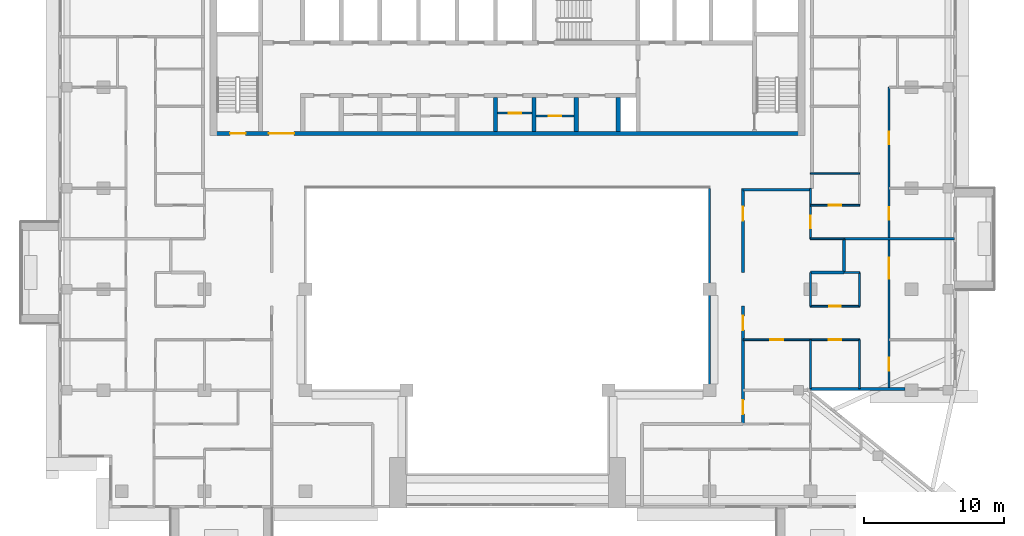
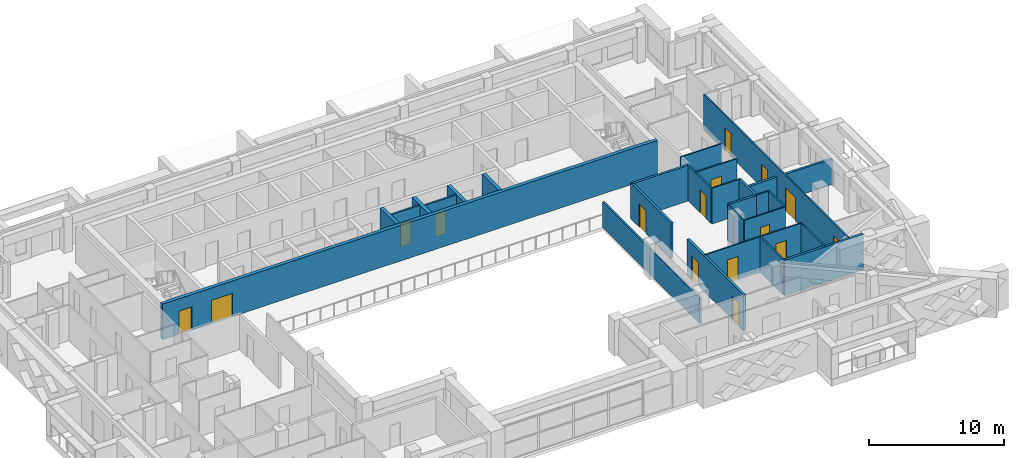
# One storey, part 9 of 19: 27 walls, 16 doors, 16 openings.
"""IFC4 building model written with IfcOpenShell, lengths in metres."""

from ifc_helpers import new_model, si_unit, direction, frame, frame_2d, origin, place, context, subcontext, project, spatial, rectangle, extrude, material, layer, layer_set, type_object, element, fill, save


model = new_model("IFC4")

# Units and contexts
model_context = context("Model", 3, precision=1e-05, world=origin(), true_north=direction((0.0, 1.0)))
body_context = subcontext(model_context, "Body", "Model", "MODEL_VIEW")
ifc_project = project(units=[si_unit("LENGTHUNIT", "METRE"), si_unit("AREAUNIT", "SQUARE_METRE"), si_unit("VOLUMEUNIT", "CUBIC_METRE"), si_unit("PLANEANGLEUNIT", "RADIAN"), si_unit("MASSUNIT", "GRAM", prefix="KILO")], contexts=[model_context])

# Site, building, storey
site_placement = place(None, origin())
site = spatial("IfcSite", under=ifc_project, at=site_placement, CompositionType="ELEMENT")
building_placement = place(site_placement, origin())
building = spatial("IfcBuilding", under=site, at=building_placement, Name="Saffron Iwan Residences", CompositionType="ELEMENT")
storey_placement = place(building_placement, frame((0.0, 0.0, 218.5)))
storey = spatial("IfcBuildingStorey", under=building, at=storey_placement, Name="L58", CompositionType="ELEMENT", Elevation=218.5)

# Wall
ifc_material_1 = material(Name="Fire-rated glazing", Category="glass")
ifc_layer_1 = layer(ifc_material_1, 0.14990234375)
ifc_layer_set_1 = layer_set([ifc_layer_1], Name="Fire-rated glazing")
wall_type_1 = type_object("IfcWallType", Name="Atrium glazed screen 150", PredefinedType="SOLIDWALL", material=ifc_layer_set_1)
wall_1_placement = place(storey_placement, frame((64.800048828125, 48.0, 0.0), z_axis=(0.0, 0.0, 1.0), x_axis=(0.0, 1.0, 0.0)))
element("IfcWall", 1, at=wall_1_placement, inside=storey, type_object=wall_type_1, Name="W-L58-SCREEN-v64.8-48", PredefinedType="SOLIDWALL", context=body_context, shape_type="SweptSolid", body=[
    extrude(rectangle(XDim=14.39990234375, YDim=0.14990234375, at=frame_2d((7.199951171875, 0.0))), origin(), (0.0, 0.0, 1.0), 2.320068359375),
])

# Wall, opening, door
ifc_material_2 = material(Name="Fire-rated plasterboard partition")
ifc_layer_2 = layer(ifc_material_2, 0.14990234375)
ifc_layer_set_2 = layer_set([ifc_layer_2], Name="Fire-rated plasterboard partition")
wall_type_2 = type_object("IfcWallType", Name="Core partition 150", PredefinedType="PARTITIONING", material=ifc_layer_set_2)
wall_2_placement = place(storey_placement, frame((49.699951171875, 67.759521484375, 0.0), z_axis=(0.0, 0.0, 1.0), x_axis=(1.0, 0.0, 0.0)))
wall_2 = element("IfcWall", 2, at=wall_2_placement, inside=storey, type_object=wall_type_2, Name="Core partition P04", PredefinedType="PARTITIONING", context=body_context, shape_type="SweptSolid", body=[
    extrude(rectangle(XDim=2.449951171875, YDim=0.14990234375, at=frame_2d((1.22509765625, 0.0))), origin(), (0.0, 0.0, 1.0), 3.219970703125),
])
opening_1_placement = place(wall_2_placement, frame((0.77490234375, 0.0, 0.0)))
opening_1 = element("IfcOpeningElement", 3, at=opening_1_placement, cuts=wall_2, Name="Opening SB", PredefinedType="OPENING", context=body_context, shape_type="SweptSolid", body=[
    extrude(rectangle(XDim=0.89990234375, YDim=2.10009765625, at=frame_2d((0.449951171875, 1.050048828125))), frame((0.0, 0.0849609375, 0.0), z_axis=(0.0, -1.0, 0.0), x_axis=(1.0, 0.0, 0.0)), (0.0, 0.0, 1.0), 0.169921875),
])
ifc_material_3 = material(Name="Steel fire door", Category="steel")
door_type_1 = type_object("IfcDoorType", Name="Store door 900", OperationType="NOTDEFINED", PredefinedType="DOOR", material=ifc_material_3)
door_1_placement = place(opening_1_placement, origin())
door_1 = element("IfcDoor", 4, at=door_1_placement, inside=storey, type_object=door_type_1, Name="Door Equipment store", OperationType="SINGLE_SWING_RIGHT", OverallHeight=2.10009765625, OverallWidth=0.89990234375, PredefinedType="DOOR", context=body_context, shape_type="SweptSolid", body=[
    extrude(rectangle(XDim=0.89990234375, YDim=2.10009765625, at=frame_2d((0.449951171875, 1.050048828125))), frame((0.0, 0.02490234375, 0.0), z_axis=(0.0, -1.0, 0.0), x_axis=(1.0, 0.0, 0.0)), (0.0, 0.0, 1.0), 0.050048828125),
])
fill(opening_1, door_1)

wall_3_placement = place(storey_placement, frame((52.449951171875, 67.5654296875, 0.0), z_axis=(0.0, 0.0, 1.0), x_axis=(1.0, 0.0, 0.0)))
wall_3 = element("IfcWall", 5, at=wall_3_placement, inside=storey, type_object=wall_type_2, Name="Core partition P05", PredefinedType="PARTITIONING", context=body_context, shape_type="SweptSolid", body=[
    extrude(rectangle(XDim=2.699951171875, YDim=0.14990234375, at=frame_2d((1.35009765625, 0.0))), origin(), (0.0, 0.0, 1.0), 3.219970703125),
])
opening_2_placement = place(wall_3_placement, frame((0.89990234375, 0.0, 0.0)))
opening_2 = element("IfcOpeningElement", 6, at=opening_2_placement, cuts=wall_3, Name="Opening SB", PredefinedType="OPENING", context=body_context, shape_type="SweptSolid", body=[
    extrude(rectangle(XDim=0.89990234375, YDim=2.10009765625, at=frame_2d((0.449951171875, 1.050048828125))), frame((0.0, 0.0849609375, 0.0), z_axis=(0.0, -1.0, 0.0), x_axis=(1.0, 0.0, 0.0)), (0.0, 0.0, 1.0), 0.169921875),
])
door_2_placement = place(opening_2_placement, origin())
door_2 = element("IfcDoor", 7, at=door_2_placement, inside=storey, type_object=door_type_1, Name="Door Records store", OperationType="SINGLE_SWING_RIGHT", OverallHeight=2.10009765625, OverallWidth=0.89990234375, PredefinedType="DOOR", context=body_context, shape_type="SweptSolid", body=[
    extrude(rectangle(XDim=0.89990234375, YDim=2.10009765625, at=frame_2d((0.449951171875, 1.050048828125))), frame((0.0, 0.02490234375, 0.0), z_axis=(0.0, -1.0, 0.0), x_axis=(1.0, 0.0, 0.0)), (0.0, 0.0, 1.0), 0.050048828125),
])
fill(opening_2, door_2)

# Walls
ifc_material_4 = material(Name="Concrete C40/50", Category="concrete")
ifc_layer_3 = layer(ifc_material_4, 0.199951171875)
ifc_layer_set_3 = layer_set([ifc_layer_3], Name="Concrete C40/50")
wall_type_3 = type_object("IfcWallType", Name="EXTERNAL WALL 200", PredefinedType="SOLIDWALL", material=ifc_layer_set_3)
wall_4_placement = place(storey_placement, frame((71.987060546875, 48.10009765625, 0.0), z_axis=(0.0, 0.0, 1.0), x_axis=(1.0, 0.0, 0.0)))
element("IfcWall", 8, at=wall_4_placement, inside=storey, type_object=wall_type_3, Name="External wall L58 F1.0", PredefinedType="SOLIDWALL", context=body_context, shape_type="SweptSolid", body=[
    extrude(rectangle(XDim=6.762939453125, YDim=0.199951171875, at=frame_2d((3.38134765625, 0.0))), origin(), (0.0, 0.0, 1.0), 3.219970703125),
])
ifc_material_5 = material(Name="Fire-rated gypsum board wall")
ifc_layer_4 = layer(ifc_material_5, 0.199951171875)
ifc_layer_set_4 = layer_set([ifc_layer_4], Name="Fire-rated gypsum board wall")
wall_type_4 = type_object("IfcWallType", Name="Flat demising wall 200", PredefinedType="SOLIDWALL", material=ifc_layer_set_4)
wall_5_placement = place(storey_placement, frame((72.0, 56.39990234375, 0.0), z_axis=(0.0, 0.0, 1.0), x_axis=(1.0, 0.0, 0.0)))
element("IfcWall", 9, at=wall_5_placement, inside=storey, type_object=wall_type_4, Name="W-L58-DEMISE-h56.4-72", PredefinedType="SOLIDWALL", context=body_context, shape_type="SweptSolid", body=[
    extrude(rectangle(XDim=2.39990234375, YDim=0.199951171875, at=frame_2d((1.199951171875, 0.0))), origin(), (0.0, 0.0, 1.0), 3.219970703125),
])
wall_6_placement = place(storey_placement, frame((74.39990234375, 58.800048828125, 0.0), z_axis=(0.0, 0.0, 1.0), x_axis=(1.0, 0.0, 0.0)))
element("IfcWall", 10, at=wall_6_placement, inside=storey, type_object=wall_type_4, Name="W-L58-DEMISE-h58.8-74.4", PredefinedType="SOLIDWALL", context=body_context, shape_type="SweptSolid", body=[
    extrude(rectangle(XDim=7.875, YDim=0.199951171875, at=frame_2d((3.9375, 0.0))), origin(), (0.0, 0.0, 1.0), 2.320068359375),
])
wall_7_placement = place(storey_placement, frame((74.39990234375, 56.39990234375, 0.0), z_axis=(0.0, 0.0, 1.0), x_axis=(0.0, 1.0, 0.0)))
element("IfcWall", 11, at=wall_7_placement, inside=storey, type_object=wall_type_4, Name="W-L58-DEMISE-v74.4-56.4", PredefinedType="SOLIDWALL", context=body_context, shape_type="SweptSolid", body=[
    extrude(rectangle(XDim=2.400146484375, YDim=0.199951171875, at=frame_2d((1.2001953125, 0.0))), origin(), (0.0, 0.0, 1.0), 3.219970703125),
])

# Wall, openings, doors
ifc_material_6 = material(Name="Gypsum board partition")
ifc_layer_5 = layer(ifc_material_6, 0.1201171875)
ifc_layer_set_5 = layer_set([ifc_layer_5], Name="Gypsum board partition")
wall_type_5 = type_object("IfcWallType", Name="Flat partition 120", PredefinedType="PARTITIONING", material=ifc_layer_set_5)
wall_8_placement = place(storey_placement, frame((67.199951171875, 51.60009765625, 0.0), z_axis=(0.0, 0.0, 1.0), x_axis=(1.0, 0.0, 0.0)))
wall_8 = element("IfcWall", 12, at=wall_8_placement, inside=storey, type_object=wall_type_5, Name="W-L58-PART-h51.6-67.2", PredefinedType="PARTITIONING", context=body_context, shape_type="SweptSolid", body=[
    extrude(rectangle(XDim=8.300048828125, YDim=0.1201171875, at=frame_2d((4.14990234375, 0.0))), origin(), (0.0, 0.0, 1.0), 3.219970703125),
])
opening_3_placement = place(wall_8_placement, frame((6.10009765625, 0.0, 0.0)))
opening_3 = element("IfcOpeningElement", 13, at=opening_3_placement, cuts=wall_8, Name="Opening FD2", PredefinedType="OPENING", context=body_context, shape_type="SweptSolid", body=[
    extrude(rectangle(XDim=0.89990234375, YDim=2.10009765625, at=frame_2d((0.449951171875, 1.050048828125))), frame((0.0, 0.070068359375, 0.0), z_axis=(0.0, -1.0, 0.0), x_axis=(1.0, 0.0, 0.0)), (0.0, 0.0, 1.0), 0.14013671875),
])
opening_4_placement = place(wall_8_placement, frame((1.949951171875, 0.0, 0.0)))
opening_4 = element("IfcOpeningElement", 14, at=opening_4_placement, cuts=wall_8, Name="Opening FD2", PredefinedType="OPENING", context=body_context, shape_type="SweptSolid", body=[
    extrude(rectangle(XDim=0.89990234375, YDim=2.10009765625, at=frame_2d((0.449951171875, 1.050048828125))), frame((0.0, 0.070068359375, 0.0), z_axis=(0.0, -1.0, 0.0), x_axis=(1.0, 0.0, 0.0)), (0.0, 0.0, 1.0), 0.14013671875),
])
ifc_material_7 = material(Name="Timber door", Category="wood")
door_type_2 = type_object("IfcDoorType", Name="Flat door 900", OperationType="NOTDEFINED", PredefinedType="DOOR", material=ifc_material_7)
door_3_placement = place(opening_3_placement, origin())
door_3 = element("IfcDoor", 15, at=door_3_placement, inside=storey, type_object=door_type_2, Name="Door L58-017", OperationType="SINGLE_SWING_LEFT", OverallHeight=2.10009765625, OverallWidth=0.89990234375, PredefinedType="DOOR", context=body_context, shape_type="SweptSolid", body=[
    extrude(rectangle(XDim=0.89990234375, YDim=2.10009765625, at=frame_2d((0.449951171875, 1.050048828125))), frame((0.0, 0.02490234375, 0.0), z_axis=(0.0, -1.0, 0.0), x_axis=(1.0, 0.0, 0.0)), (0.0, 0.0, 1.0), 0.050048828125),
])
fill(opening_3, door_3)
door_4_placement = place(opening_4_placement, origin())
door_4 = element("IfcDoor", 16, at=door_4_placement, inside=storey, type_object=door_type_2, Name="Door L58-019", OperationType="SINGLE_SWING_LEFT", OverallHeight=2.10009765625, OverallWidth=0.89990234375, PredefinedType="DOOR", context=body_context, shape_type="SweptSolid", body=[
    extrude(rectangle(XDim=0.89990234375, YDim=2.10009765625, at=frame_2d((0.449951171875, 1.050048828125))), frame((0.0, 0.02490234375, 0.0), z_axis=(0.0, -1.0, 0.0), x_axis=(1.0, 0.0, 0.0)), (0.0, 0.0, 1.0), 0.050048828125),
])
fill(opening_4, door_4)

# Wall, opening, door
wall_9_placement = place(storey_placement, frame((72.0, 54.0, 0.0), z_axis=(0.0, 0.0, 1.0), x_axis=(1.0, 0.0, 0.0)))
wall_9 = element("IfcWall", 17, at=wall_9_placement, inside=storey, type_object=wall_type_5, Name="W-L58-PART-h54-72", PredefinedType="PARTITIONING", context=body_context, shape_type="SweptSolid", body=[
    extrude(rectangle(XDim=3.5, YDim=0.1201171875, at=frame_2d((1.75, 0.0))), origin(), (0.0, 0.0, 1.0), 3.219970703125),
])
opening_5_placement = place(wall_9_placement, frame((1.35009765625, 0.0, 0.0)))
opening_5 = element("IfcOpeningElement", 18, at=opening_5_placement, cuts=wall_9, Name="Opening FD3", PredefinedType="OPENING", context=body_context, shape_type="SweptSolid", body=[
    extrude(rectangle(XDim=0.800048828125, YDim=2.10009765625, at=frame_2d((0.39990234375, 1.050048828125))), frame((0.0, 0.070068359375, 0.0), z_axis=(0.0, -1.0, 0.0), x_axis=(1.0, 0.0, 0.0)), (0.0, 0.0, 1.0), 0.14013671875),
])
door_type_3 = type_object("IfcDoorType", Name="Bathroom door 800", OperationType="NOTDEFINED", PredefinedType="DOOR", material=ifc_material_7)
door_5_placement = place(opening_5_placement, origin())
door_5 = element("IfcDoor", 19, at=door_5_placement, inside=storey, type_object=door_type_3, Name="Door L58-018", OperationType="SINGLE_SWING_RIGHT", OverallHeight=2.10009765625, OverallWidth=0.800048828125, PredefinedType="DOOR", context=body_context, shape_type="SweptSolid", body=[
    extrude(rectangle(XDim=0.800048828125, YDim=2.10009765625, at=frame_2d((0.39990234375, 1.050048828125))), frame((0.0, 0.02490234375, 0.0), z_axis=(0.0, -1.0, 0.0), x_axis=(1.0, 0.0, 0.0)), (0.0, 0.0, 1.0), 0.050048828125),
])
fill(opening_5, door_5)

# Walls
wall_10_placement = place(storey_placement, frame((74.39990234375, 56.39990234375, 0.0), z_axis=(0.0, 0.0, 1.0), x_axis=(1.0, 0.0, 0.0)))
element("IfcWall", 20, at=wall_10_placement, inside=storey, type_object=wall_type_5, Name="W-L58-PART-h56.4-74.4", PredefinedType="PARTITIONING", context=body_context, shape_type="SweptSolid", body=[
    extrude(rectangle(XDim=1.10009765625, YDim=0.1201171875, at=frame_2d((0.550048828125, 0.0))), origin(), (0.0, 0.0, 1.0), 3.219970703125),
])
wall_11_placement = place(storey_placement, frame((72.0, 58.800048828125, 0.0), z_axis=(0.0, 0.0, 1.0), x_axis=(1.0, 0.0, 0.0)))
element("IfcWall", 21, at=wall_11_placement, inside=storey, type_object=wall_type_5, Name="W-L58-PART-h58.8-72", PredefinedType="PARTITIONING", context=body_context, shape_type="SweptSolid", body=[
    extrude(rectangle(XDim=2.39990234375, YDim=0.1201171875, at=frame_2d((1.199951171875, 0.0))), origin(), (0.0, 0.0, 1.0), 3.219970703125),
])

# Wall, opening, door
wall_12_placement = place(storey_placement, frame((72.0, 61.199951171875, 0.0), z_axis=(0.0, 0.0, 1.0), x_axis=(1.0, 0.0, 0.0)))
wall_12 = element("IfcWall", 22, at=wall_12_placement, inside=storey, type_object=wall_type_5, Name="W-L58-PART-h61.2-72", PredefinedType="PARTITIONING", context=body_context, shape_type="SweptSolid", body=[
    extrude(rectangle(XDim=3.5, YDim=0.1201171875, at=frame_2d((1.75, 0.0))), origin(), (0.0, 0.0, 1.0), 3.219970703125),
])
opening_6_placement = place(wall_12_placement, frame((1.300048828125, 0.0, 0.0)))
opening_6 = element("IfcOpeningElement", 23, at=opening_6_placement, cuts=wall_12, Name="Opening FD2", PredefinedType="OPENING", context=body_context, shape_type="SweptSolid", body=[
    extrude(rectangle(XDim=0.89990234375, YDim=2.10009765625, at=frame_2d((0.449951171875, 1.050048828125))), frame((0.0, 0.070068359375, 0.0), z_axis=(0.0, -1.0, 0.0), x_axis=(1.0, 0.0, 0.0)), (0.0, 0.0, 1.0), 0.14013671875),
])
door_6_placement = place(opening_6_placement, origin())
door_6 = element("IfcDoor", 24, at=door_6_placement, inside=storey, type_object=door_type_2, Name="Door L58-036", OperationType="SINGLE_SWING_RIGHT", OverallHeight=2.10009765625, OverallWidth=0.89990234375, PredefinedType="DOOR", context=body_context, shape_type="SweptSolid", body=[
    extrude(rectangle(XDim=0.89990234375, YDim=2.10009765625, at=frame_2d((0.449951171875, 1.050048828125))), frame((0.0, 0.02490234375, 0.0), z_axis=(0.0, -1.0, 0.0), x_axis=(1.0, 0.0, 0.0)), (0.0, 0.0, 1.0), 0.050048828125),
])
fill(opening_6, door_6)

# Walls
wall_13_placement = place(storey_placement, frame((72.0, 63.449951171875, 0.0), z_axis=(0.0, 0.0, 1.0), x_axis=(1.0, 0.0, 0.0)))
element("IfcWall", 25, at=wall_13_placement, inside=storey, type_object=wall_type_5, Name="W-L58-PART-h63.45-72", PredefinedType="PARTITIONING", context=body_context, shape_type="SweptSolid", body=[
    extrude(rectangle(XDim=3.5, YDim=0.1201171875, at=frame_2d((1.75, 0.0))), origin(), (0.0, 0.0, 1.0), 3.219970703125),
])
wall_14_placement = place(storey_placement, frame((72.0, 48.125, 0.0), z_axis=(0.0, 0.0, 1.0), x_axis=(0.0, 1.0, 0.0)))
element("IfcWall", 26, at=wall_14_placement, inside=storey, type_object=wall_type_5, Name="W-L58-PART-v72-48.125", PredefinedType="PARTITIONING", context=body_context, shape_type="SweptSolid", body=[
    extrude(rectangle(XDim=3.47509765625, YDim=0.1201171875, at=frame_2d((1.737548828125, 0.0))), origin(), (0.0, 0.0, 1.0), 3.219970703125),
])
wall_15_placement = place(storey_placement, frame((72.0, 54.0, 0.0), z_axis=(0.0, 0.0, 1.0), x_axis=(0.0, 1.0, 0.0)))
element("IfcWall", 27, at=wall_15_placement, inside=storey, type_object=wall_type_5, Name="W-L58-PART-v72-54", PredefinedType="PARTITIONING", context=body_context, shape_type="SweptSolid", body=[
    extrude(rectangle(XDim=2.39990234375, YDim=0.1201171875, at=frame_2d((1.199951171875, 0.0))), origin(), (0.0, 0.0, 1.0), 3.219970703125),
])

# Wall, opening, door
wall_16_placement = place(storey_placement, frame((72.0, 58.800048828125, 0.0), z_axis=(0.0, 0.0, 1.0), x_axis=(0.0, 1.0, 0.0)))
wall_16 = element("IfcWall", 28, at=wall_16_placement, inside=storey, type_object=wall_type_5, Name="W-L58-PART-v72-58.8", PredefinedType="PARTITIONING", context=body_context, shape_type="SweptSolid", body=[
    extrude(rectangle(XDim=3.599853515625, YDim=0.1201171875, at=frame_2d((1.7998046875, 0.0))), origin(), (0.0, 0.0, 1.0), 3.219970703125),
])
opening_7_placement = place(wall_16_placement, frame((0.75, 0.0, 0.0)))
opening_7 = element("IfcOpeningElement", 29, at=opening_7_placement, cuts=wall_16, Name="Opening FD2", PredefinedType="OPENING", context=body_context, shape_type="SweptSolid", body=[
    extrude(rectangle(XDim=0.89990234375, YDim=2.10009765625, at=frame_2d((0.449951171875, 1.050048828125))), frame((0.0, 0.070068359375, 0.0), z_axis=(0.0, -1.0, 0.0), x_axis=(1.0, 0.0, 0.0)), (0.0, 0.0, 1.0), 0.14013671875),
])
door_7_placement = place(opening_7_placement, origin())
door_7 = element("IfcDoor", 30, at=door_7_placement, inside=storey, type_object=door_type_2, Name="Door L58-030", OperationType="SINGLE_SWING_RIGHT", OverallHeight=2.10009765625, OverallWidth=0.89990234375, PredefinedType="DOOR", context=body_context, shape_type="SweptSolid", body=[
    extrude(rectangle(XDim=0.89990234375, YDim=2.10009765625, at=frame_2d((0.449951171875, 1.050048828125))), frame((0.0, 0.02490234375, 0.0), z_axis=(0.0, -1.0, 0.0), x_axis=(1.0, 0.0, 0.0)), (0.0, 0.0, 1.0), 0.050048828125),
])
fill(opening_7, door_7)

# Walls
wall_17_placement = place(storey_placement, frame((75.5, 48.125, 0.0), z_axis=(0.0, 0.0, 1.0), x_axis=(0.0, 1.0, 0.0)))
element("IfcWall", 31, at=wall_17_placement, inside=storey, type_object=wall_type_5, Name="W-L58-PART-v75.5-48.125", PredefinedType="PARTITIONING", context=body_context, shape_type="SweptSolid", body=[
    extrude(rectangle(XDim=3.47509765625, YDim=0.1201171875, at=frame_2d((1.737548828125, 0.0))), origin(), (0.0, 0.0, 1.0), 3.219970703125),
])
wall_18_placement = place(storey_placement, frame((75.5, 54.0, 0.0), z_axis=(0.0, 0.0, 1.0), x_axis=(0.0, 1.0, 0.0)))
element("IfcWall", 32, at=wall_18_placement, inside=storey, type_object=wall_type_5, Name="W-L58-PART-v75.5-54", PredefinedType="PARTITIONING", context=body_context, shape_type="SweptSolid", body=[
    extrude(rectangle(XDim=2.39990234375, YDim=0.1201171875, at=frame_2d((1.199951171875, 0.0))), origin(), (0.0, 0.0, 1.0), 3.219970703125),
])

# Wall, openings, doors
wall_19_placement = place(storey_placement, frame((77.60009765625, 48.125, 0.0), z_axis=(0.0, 0.0, 1.0), x_axis=(0.0, 1.0, 0.0)))
wall_19 = element("IfcWall", 33, at=wall_19_placement, inside=storey, type_object=wall_type_5, Name="W-L58-PART-v77.6-48.125", PredefinedType="PARTITIONING", context=body_context, shape_type="SweptSolid", body=[
    extrude(rectangle(XDim=21.47509765625, YDim=0.1201171875, at=frame_2d((10.737548828125, 0.0))), origin(), (0.0, 0.0, 1.0), 3.219970703125),
])
opening_8_placement = place(wall_19_placement, frame((1.28759765625, 0.0, 0.0)))
opening_8 = element("IfcOpeningElement", 34, at=opening_8_placement, cuts=wall_19, Name="Opening FD2", PredefinedType="OPENING", context=body_context, shape_type="SweptSolid", body=[
    extrude(rectangle(XDim=0.89990234375, YDim=2.10009765625, at=frame_2d((0.449951171875, 1.050048828125))), frame((0.0, 0.070068359375, 0.0), z_axis=(0.0, -1.0, 0.0), x_axis=(1.0, 0.0, 0.0)), (0.0, 0.0, 1.0), 0.14013671875),
])
opening_9_placement = place(wall_19_placement, frame((7.824951171875, 0.0, 0.0)))
opening_9 = element("IfcOpeningElement", 35, at=opening_9_placement, cuts=wall_19, Name="Opening FD4", PredefinedType="OPENING", context=body_context, shape_type="SweptSolid", body=[
    extrude(rectangle(XDim=1.5, YDim=2.10009765625, at=frame_2d((0.75, 1.050048828125))), frame((0.0, 0.070068359375, 0.0), z_axis=(0.0, -1.0, 0.0), x_axis=(1.0, 0.0, 0.0)), (0.0, 0.0, 1.0), 0.14013671875),
])
opening_10_placement = place(wall_19_placement, frame((12.02490234375, 0.0, 0.0)))
opening_10 = element("IfcOpeningElement", 36, at=opening_10_placement, cuts=wall_19, Name="Opening FD2", PredefinedType="OPENING", context=body_context, shape_type="SweptSolid", body=[
    extrude(rectangle(XDim=0.89990234375, YDim=2.10009765625, at=frame_2d((0.449951171875, 1.050048828125))), frame((0.0, 0.070068359375, 0.0), z_axis=(0.0, -1.0, 0.0), x_axis=(1.0, 0.0, 0.0)), (0.0, 0.0, 1.0), 0.14013671875),
])
opening_11_placement = place(wall_19_placement, frame((17.425048828125, 0.0, 0.0)))
opening_11 = element("IfcOpeningElement", 37, at=opening_11_placement, cuts=wall_19, Name="Opening FD2", PredefinedType="OPENING", context=body_context, shape_type="SweptSolid", body=[
    extrude(rectangle(XDim=0.89990234375, YDim=2.10009765625, at=frame_2d((0.449951171875, 1.050048828125))), frame((0.0, 0.070068359375, 0.0), z_axis=(0.0, -1.0, 0.0), x_axis=(1.0, 0.0, 0.0)), (0.0, 0.0, 1.0), 0.14013671875),
])
door_type_4 = type_object("IfcDoorType", Name="Double door 1500", OperationType="NOTDEFINED", PredefinedType="DOOR", material=ifc_material_7)
door_8_placement = place(opening_9_placement, origin())
door_8 = element("IfcDoor", 38, at=door_8_placement, inside=storey, type_object=door_type_4, Name="Door L58-016", OperationType="SINGLE_SWING_RIGHT", OverallHeight=2.10009765625, OverallWidth=1.5, PredefinedType="DOOR", context=body_context, shape_type="SweptSolid", body=[
    extrude(rectangle(XDim=1.5, YDim=2.10009765625, at=frame_2d((0.75, 1.050048828125))), frame((0.0, 0.02490234375, 0.0), z_axis=(0.0, -1.0, 0.0), x_axis=(1.0, 0.0, 0.0)), (0.0, 0.0, 1.0), 0.050048828125),
])
fill(opening_9, door_8)
door_9_placement = place(opening_8_placement, origin())
door_9 = element("IfcDoor", 39, at=door_9_placement, inside=storey, type_object=door_type_2, Name="Door L58-015", OperationType="SINGLE_SWING_RIGHT", OverallHeight=2.10009765625, OverallWidth=0.89990234375, PredefinedType="DOOR", context=body_context, shape_type="SweptSolid", body=[
    extrude(rectangle(XDim=0.89990234375, YDim=2.10009765625, at=frame_2d((0.449951171875, 1.050048828125))), frame((0.0, 0.02490234375, 0.0), z_axis=(0.0, -1.0, 0.0), x_axis=(1.0, 0.0, 0.0)), (0.0, 0.0, 1.0), 0.050048828125),
])
fill(opening_8, door_9)
door_10_placement = place(opening_10_placement, origin())
door_10 = element("IfcDoor", 40, at=door_10_placement, inside=storey, type_object=door_type_2, Name="Door L58-032", OperationType="SINGLE_SWING_LEFT", OverallHeight=2.10009765625, OverallWidth=0.89990234375, PredefinedType="DOOR", context=body_context, shape_type="SweptSolid", body=[
    extrude(rectangle(XDim=0.89990234375, YDim=2.10009765625, at=frame_2d((0.449951171875, 1.050048828125))), frame((0.0, 0.02490234375, 0.0), z_axis=(0.0, -1.0, 0.0), x_axis=(1.0, 0.0, 0.0)), (0.0, 0.0, 1.0), 0.050048828125),
])
fill(opening_10, door_10)
door_11_placement = place(opening_11_placement, origin())
door_11 = element("IfcDoor", 41, at=door_11_placement, inside=storey, type_object=door_type_2, Name="Door L58-033", OperationType="SINGLE_SWING_RIGHT", OverallHeight=2.10009765625, OverallWidth=0.89990234375, PredefinedType="DOOR", context=body_context, shape_type="SweptSolid", body=[
    extrude(rectangle(XDim=0.89990234375, YDim=2.10009765625, at=frame_2d((0.449951171875, 1.050048828125))), frame((0.0, 0.02490234375, 0.0), z_axis=(0.0, -1.0, 0.0), x_axis=(1.0, 0.0, 0.0)), (0.0, 0.0, 1.0), 0.050048828125),
])
fill(opening_11, door_11)

# Wall
ifc_layer_6 = layer(ifc_material_5, 0.199951171875)
ifc_layer_set_6 = layer_set([ifc_layer_6], Name="Fire-rated gypsum board wall")
wall_type_6 = type_object("IfcWallType", Name="Gallery wall 200", PredefinedType="SOLIDWALL", material=ifc_layer_set_6)
wall_20_placement = place(storey_placement, frame((67.199951171875, 62.300048828125, 0.0), z_axis=(0.0, 0.0, 1.0), x_axis=(1.0, 0.0, 0.0)))
element("IfcWall", 42, at=wall_20_placement, inside=storey, type_object=wall_type_6, Name="W-L58-CORR-h62.4-67.2", PredefinedType="SOLIDWALL", context=body_context, shape_type="SweptSolid", body=[
    extrude(rectangle(XDim=4.800048828125, YDim=0.199951171875, at=frame_2d((2.39990234375, 0.0))), origin(), (0.0, 0.0, 1.0), 3.219970703125),
])

# Wall, openings, doors
wall_21_placement = place(storey_placement, frame((67.199951171875, 45.60009765625, 0.0), z_axis=(0.0, 0.0, 1.0), x_axis=(0.0, 1.0, 0.0)))
wall_21 = element("IfcWall", 43, at=wall_21_placement, inside=storey, type_object=wall_type_6, Name="W-L58-CORR-v67.2-45.6", PredefinedType="SOLIDWALL", context=body_context, shape_type="SweptSolid", body=[
    extrude(rectangle(XDim=8.39990234375, YDim=0.199951171875, at=frame_2d((4.199951171875, 0.0))), origin(), (0.0, 0.0, 1.0), 3.219970703125),
])
opening_12_placement = place(wall_21_placement, frame((6.699951171875, 0.0, 0.0)))
opening_12 = element("IfcOpeningElement", 44, at=opening_12_placement, cuts=wall_21, Name="Opening FD1", PredefinedType="OPENING", context=body_context, shape_type="SweptSolid", body=[
    extrude(rectangle(XDim=1.0, YDim=2.10009765625, at=frame_2d((0.5, 1.050048828125))), frame((0.0, 0.10986328125, 0.0), z_axis=(0.0, -1.0, 0.0), x_axis=(1.0, 0.0, 0.0)), (0.0, 0.0, 1.0), 0.219970703125),
])
opening_13_placement = place(wall_21_placement, frame((0.699951171875, 0.0, 0.0)))
opening_13 = element("IfcOpeningElement", 45, at=opening_13_placement, cuts=wall_21, Name="Opening FD5", PredefinedType="OPENING", context=body_context, shape_type="SweptSolid", body=[
    extrude(rectangle(XDim=1.0, YDim=2.10009765625, at=frame_2d((0.5, 1.050048828125))), frame((0.0, 0.10986328125, 0.0), z_axis=(0.0, -1.0, 0.0), x_axis=(1.0, 0.0, 0.0)), (0.0, 0.0, 1.0), 0.219970703125),
])
ifc_material_8 = material(Name="Fire-rated timber door", Category="wood")
door_type_5 = type_object("IfcDoorType", Name="FD30S flat entrance door 1000", OperationType="NOTDEFINED", PredefinedType="DOOR", material=ifc_material_8)
door_12_placement = place(opening_12_placement, origin())
door_12 = element("IfcDoor", 46, at=door_12_placement, inside=storey, type_object=door_type_5, Name="Door L58-014", OperationType="SINGLE_SWING_LEFT", OverallHeight=2.10009765625, OverallWidth=1.0, PredefinedType="DOOR", context=body_context, shape_type="SweptSolid", body=[
    extrude(rectangle(XDim=1.0, YDim=2.10009765625, at=frame_2d((0.5, 1.050048828125))), frame((0.0, 0.02490234375, 0.0), z_axis=(0.0, -1.0, 0.0), x_axis=(1.0, 0.0, 0.0)), (0.0, 0.0, 1.0), 0.050048828125),
])
fill(opening_12, door_12)
door_type_6 = type_object("IfcDoorType", Name="Lobby door 1000", OperationType="NOTDEFINED", PredefinedType="DOOR", material=ifc_material_8)
door_13_placement = place(opening_13_placement, origin())
door_13 = element("IfcDoor", 47, at=door_13_placement, inside=storey, type_object=door_type_6, Name="Door L58-042", OperationType="SINGLE_SWING_RIGHT", OverallHeight=2.10009765625, OverallWidth=1.0, PredefinedType="DOOR", context=body_context, shape_type="SweptSolid", body=[
    extrude(rectangle(XDim=1.0, YDim=2.10009765625, at=frame_2d((0.5, 1.050048828125))), frame((0.0, 0.02490234375, 0.0), z_axis=(0.0, -1.0, 0.0), x_axis=(1.0, 0.0, 0.0)), (0.0, 0.0, 1.0), 0.050048828125),
])
fill(opening_13, door_13)

# Wall, opening, door
wall_22_placement = place(storey_placement, frame((67.199951171875, 56.39990234375, 0.0), z_axis=(0.0, 0.0, 1.0), x_axis=(0.0, 1.0, 0.0)))
wall_22 = element("IfcWall", 48, at=wall_22_placement, inside=storey, type_object=wall_type_6, Name="W-L58-CORR-v67.2-56.4", PredefinedType="SOLIDWALL", context=body_context, shape_type="SweptSolid", body=[
    extrude(rectangle(XDim=6.0, YDim=0.199951171875, at=frame_2d((3.0, 0.0))), origin(), (0.0, 0.0, 1.0), 3.219970703125),
])
opening_14_placement = place(wall_22_placement, frame((3.699951171875, 0.0, 0.0)))
opening_14 = element("IfcOpeningElement", 49, at=opening_14_placement, cuts=wall_22, Name="Opening FD5", PredefinedType="OPENING", context=body_context, shape_type="SweptSolid", body=[
    extrude(rectangle(XDim=1.0, YDim=2.10009765625, at=frame_2d((0.5, 1.050048828125))), frame((0.0, 0.10986328125, 0.0), z_axis=(0.0, -1.0, 0.0), x_axis=(1.0, 0.0, 0.0)), (0.0, 0.0, 1.0), 0.219970703125),
])
door_14_placement = place(opening_14_placement, origin())
door_14 = element("IfcDoor", 50, at=door_14_placement, inside=storey, type_object=door_type_6, Name="Door L58-031", OperationType="SINGLE_SWING_LEFT", OverallHeight=2.10009765625, OverallWidth=1.0, PredefinedType="DOOR", context=body_context, shape_type="SweptSolid", body=[
    extrude(rectangle(XDim=1.0, YDim=2.10009765625, at=frame_2d((0.5, 1.050048828125))), frame((0.0, 0.02490234375, 0.0), z_axis=(0.0, -1.0, 0.0), x_axis=(1.0, 0.0, 0.0)), (0.0, 0.0, 1.0), 0.050048828125),
])
fill(opening_14, door_14)

# Wall, openings, doors
ifc_layer_7 = layer(ifc_material_4, 0.300048828125)
ifc_layer_set_7 = layer_set([ifc_layer_7], Name="Concrete C40/50")
wall_type_7 = type_object("IfcWallType", Name="WALL CORE 300 C40/50 3220 HIGH", PredefinedType="SHEAR", material=ifc_layer_set_7)
wall_23_placement = place(storey_placement, frame((29.199951171875, 66.300048828125, 0.0), z_axis=(0.0, 0.0, 1.0), x_axis=(1.0, 0.0, 0.0)))
wall_23 = element("IfcWall", 51, at=wall_23_placement, inside=storey, type_object=wall_type_7, Name="Core wall", PredefinedType="SHEAR", context=body_context, shape_type="SweptSolid", body=[
    extrude(rectangle(XDim=42.400146484375, YDim=0.300048828125, at=frame_2d((21.2001953125, 0.0))), origin(), (0.0, 0.0, 1.0), 3.219970703125),
])
opening_15_placement = place(wall_23_placement, frame((1.425048828125, 0.0, 0.0)))
opening_15 = element("IfcOpeningElement", 52, at=opening_15_placement, cuts=wall_23, Name="Opening SD", PredefinedType="OPENING", context=body_context, shape_type="SweptSolid", body=[
    extrude(rectangle(XDim=1.10009765625, YDim=2.10009765625, at=frame_2d((0.550048828125, 1.050048828125))), frame((0.0, 0.16015625, 0.0), z_axis=(0.0, -1.0, 0.0), x_axis=(1.0, 0.0, 0.0)), (0.0, 0.0, 1.0), 0.320068359375),
])
opening_16_placement = place(wall_23_placement, frame((4.199951171875, 0.0, 0.0)))
opening_16 = element("IfcOpeningElement", 53, at=opening_16_placement, cuts=wall_23, Name="Opening DD", PredefinedType="OPENING", context=body_context, shape_type="SweptSolid", body=[
    extrude(rectangle(XDim=1.800048828125, YDim=2.10009765625, at=frame_2d((0.89990234375, 1.050048828125))), frame((0.0, 0.16015625, 0.0), z_axis=(0.0, -1.0, 0.0), x_axis=(1.0, 0.0, 0.0)), (0.0, 0.0, 1.0), 0.320068359375),
])
door_type_7 = type_object("IfcDoorType", Name="Lobby double door 1800", OperationType="DOUBLE_DOOR_SINGLE_SWING", PredefinedType="DOOR", material=ifc_material_3)
door_15_placement = place(opening_16_placement, origin())
door_15 = element("IfcDoor", 54, at=door_15_placement, inside=storey, type_object=door_type_7, Name="Lobby doors", OperationType="DOUBLE_DOOR_SINGLE_SWING", OverallHeight=2.10009765625, OverallWidth=1.800048828125, PredefinedType="DOOR", context=body_context, shape_type="SweptSolid", body=[
    extrude(rectangle(XDim=1.800048828125, YDim=2.10009765625, at=frame_2d((0.89990234375, 1.050048828125))), frame((0.0, 0.02490234375, 0.0), z_axis=(0.0, -1.0, 0.0), x_axis=(1.0, 0.0, 0.0)), (0.0, 0.0, 1.0), 0.050048828125),
])
fill(opening_16, door_15)
door_type_8 = type_object("IfcDoorType", Name="Stair door 1100", OperationType="NOTDEFINED", PredefinedType="DOOR", material=ifc_material_3)
door_16_placement = place(opening_15_placement, origin())
door_16 = element("IfcDoor", 55, at=door_16_placement, inside=storey, type_object=door_type_8, Name="Stair door ST-W", OperationType="SINGLE_SWING_LEFT", OverallHeight=2.10009765625, OverallWidth=1.10009765625, PredefinedType="DOOR", context=body_context, shape_type="SweptSolid", body=[
    extrude(rectangle(XDim=1.10009765625, YDim=2.10009765625, at=frame_2d((0.550048828125, 1.050048828125))), frame((0.0, 0.02490234375, 0.0), z_axis=(0.0, -1.0, 0.0), x_axis=(1.0, 0.0, 0.0)), (0.0, 0.0, 1.0), 0.050048828125),
])
fill(opening_15, door_16)

# Walls
for number, where, z_axis, x_axis, name in (
    (56, (49.550048828125, 66.449951171875, 0.0), (0.0, 0.0, 1.0), (0.0, 1.0, 0.0), "Core wall"),
    (57, (52.300048828125, 66.449951171875, 0.0), (0.0, 0.0, 1.0), (0.0, 1.0, 0.0), "Core wall"),
    (58, (55.300048828125, 66.449951171875, 0.0), (0.0, 0.0, 1.0), (0.0, 1.0, 0.0), "Core wall"),
    (59, (58.300048828125, 66.449951171875, 0.0), (0.0, 0.0, 1.0), (0.0, 1.0, 0.0), "Core wall"),
):
    element("IfcWall", number, at=place(storey_placement, frame(where, z_axis=z_axis, x_axis=x_axis)), inside=storey, type_object=wall_type_7, Name=name, PredefinedType="SHEAR", context=body_context, shape_type="SweptSolid", body=[
        extrude(rectangle(XDim=2.425048828125, YDim=0.300048828125, at=frame_2d((1.21240234375, 0.0))), origin(), (0.0, 0.0, 1.0), 3.219970703125),
    ])

save(model, "model.ifc")
